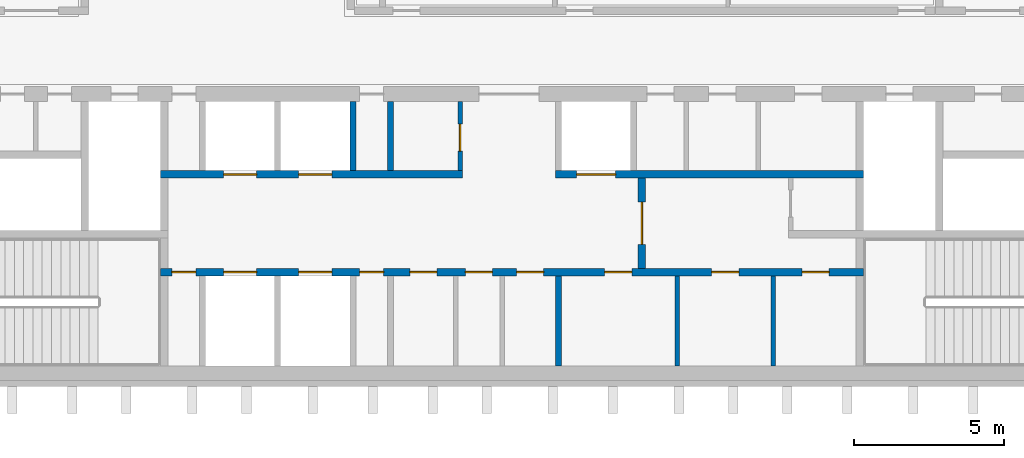
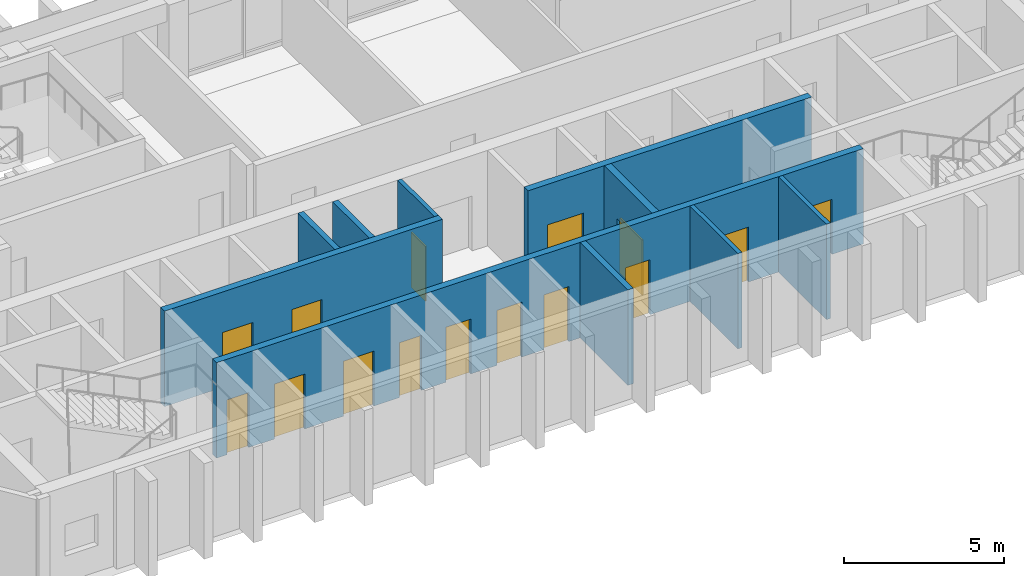
# One storey, part 9 of 14: 15 doors, 10 walls, 15 openings.
"""IFC4 building model written with IfcOpenShell, lengths in metres."""

from ifc_helpers import new_model, si_unit, direction, frame, frame_2d, origin, place, context, subcontext, project, spatial, rectangle, extrude, material, layer, layer_set, type_object, element, fill, save


model = new_model("IFC4")

# Units and contexts
model_context = context("Model", 3, precision=1e-05, world=origin(), true_north=direction((0.0, 1.0)))
body_context = subcontext(model_context, "Body", "Model", "MODEL_VIEW")
ifc_project = project(units=[si_unit("LENGTHUNIT", "METRE"), si_unit("AREAUNIT", "SQUARE_METRE"), si_unit("VOLUMEUNIT", "CUBIC_METRE"), si_unit("PLANEANGLEUNIT", "RADIAN"), si_unit("MASSUNIT", "GRAM", prefix="KILO")], contexts=[model_context])

# Site, building, storey
site_placement = place(None, origin())
site = spatial("IfcSite", under=ifc_project, at=site_placement, CompositionType="ELEMENT")
building_placement = place(site_placement, origin())
building = spatial("IfcBuilding", under=site, at=building_placement, Name="Quipu Civic Tower", CompositionType="ELEMENT")
storey_placement = place(building_placement, frame((0.0, 0.0, 335.0)))
storey = spatial("IfcBuildingStorey", under=building, at=storey_placement, Name="L78", CompositionType="ELEMENT", Elevation=335.0)

# Wall, openings, doors
ifc_material_1 = material(Name="Concrete C70/85", Category="concrete")
ifc_layer_1 = layer(ifc_material_1, 0.25)
ifc_layer_set_1 = layer_set([ifc_layer_1], Name="Concrete C70/85")
wall_type_1 = type_object("IfcWallType", Name="Core wall 250", PredefinedType="SHEAR", material=ifc_layer_set_1)
wall_1_placement = place(storey_placement, frame((11.699951171875, -7.375, 0.0), z_axis=(0.0, 0.0, 1.0), x_axis=(-1.0, 0.0, 0.0)))
wall_1 = element("IfcWall", 1, at=wall_1_placement, inside=storey, type_object=wall_type_1, Name="Core wall", PredefinedType="SHEAR", context=body_context, shape_type="SweptSolid", body=[
    extrude(rectangle(XDim=23.39990234375, YDim=0.25, at=frame_2d((11.699951171875, 0.0))), origin(), (0.0, 0.0, 1.0), 3.64990234375),
])
opening_1_placement = place(wall_1_placement, frame((22.22509765625, 0.0, 0.0)))
opening_1 = element("IfcOpeningElement", 2, at=opening_1_placement, cuts=wall_1, Name="Opening CD-01", PredefinedType="OPENING", context=body_context, shape_type="SweptSolid", body=[
    extrude(rectangle(XDim=0.800048828125, YDim=2.10009765625, at=frame_2d((0.39990234375, 1.050048828125))), frame((0.0, 0.135009765625, 0.0), z_axis=(0.0, -1.0, 0.0), x_axis=(1.0, 0.0, 0.0)), (0.0, 0.0, 1.0), 0.27001953125),
])
opening_2_placement = place(wall_1_placement, frame((20.199951171875, 0.0, 0.0)))
opening_2 = element("IfcOpeningElement", 3, at=opening_2_placement, cuts=wall_1, Name="Opening LD-HL1", PredefinedType="OPENING", context=body_context, shape_type="SweptSolid", body=[
    extrude(rectangle(XDim=1.10009765625, YDim=2.10009765625, at=frame_2d((0.550048828125, 1.050048828125))), frame((0.0, 0.135009765625, 0.0), z_axis=(0.0, -1.0, 0.0), x_axis=(1.0, 0.0, 0.0)), (0.0, 0.0, 1.0), 0.27001953125),
])
opening_3_placement = place(wall_1_placement, frame((17.699951171875, 0.0, 0.0)))
opening_3 = element("IfcOpeningElement", 4, at=opening_3_placement, cuts=wall_1, Name="Opening LD-HL2", PredefinedType="OPENING", context=body_context, shape_type="SweptSolid", body=[
    extrude(rectangle(XDim=1.10009765625, YDim=2.10009765625, at=frame_2d((0.550048828125, 1.050048828125))), frame((0.0, 0.135009765625, 0.0), z_axis=(0.0, -1.0, 0.0), x_axis=(1.0, 0.0, 0.0)), (0.0, 0.0, 1.0), 0.27001953125),
])
opening_4_placement = place(wall_1_placement, frame((15.97509765625, 0.0, 0.0)))
opening_4 = element("IfcOpeningElement", 5, at=opening_4_placement, cuts=wall_1, Name="Opening CD-02", PredefinedType="OPENING", context=body_context, shape_type="SweptSolid", body=[
    extrude(rectangle(XDim=0.800048828125, YDim=2.10009765625, at=frame_2d((0.39990234375, 1.050048828125))), frame((0.0, 0.135009765625, 0.0), z_axis=(0.0, -1.0, 0.0), x_axis=(1.0, 0.0, 0.0)), (0.0, 0.0, 1.0), 0.27001953125),
])
opening_5_placement = place(wall_1_placement, frame((14.199951171875, 0.0, 0.0)))
opening_5 = element("IfcOpeningElement", 6, at=opening_5_placement, cuts=wall_1, Name="Opening CD-03", PredefinedType="OPENING", context=body_context, shape_type="SweptSolid", body=[
    extrude(rectangle(XDim=0.89990234375, YDim=2.10009765625, at=frame_2d((0.449951171875, 1.050048828125))), frame((0.0, 0.135009765625, 0.0), z_axis=(0.0, -1.0, 0.0), x_axis=(1.0, 0.0, 0.0)), (0.0, 0.0, 1.0), 0.27001953125),
])
opening_6_placement = place(wall_1_placement, frame((12.35009765625, 0.0, 0.0)))
opening_6 = element("IfcOpeningElement", 7, at=opening_6_placement, cuts=wall_1, Name="Opening CD-04", PredefinedType="OPENING", context=body_context, shape_type="SweptSolid", body=[
    extrude(rectangle(XDim=0.89990234375, YDim=2.10009765625, at=frame_2d((0.449951171875, 1.050048828125))), frame((0.0, 0.135009765625, 0.0), z_axis=(0.0, -1.0, 0.0), x_axis=(1.0, 0.0, 0.0)), (0.0, 0.0, 1.0), 0.27001953125),
])
opening_7_placement = place(wall_1_placement, frame((10.64990234375, 0.0, 0.0)))
opening_7 = element("IfcOpeningElement", 8, at=opening_7_placement, cuts=wall_1, Name="Opening CD-05", PredefinedType="OPENING", context=body_context, shape_type="SweptSolid", body=[
    extrude(rectangle(XDim=0.89990234375, YDim=2.10009765625, at=frame_2d((0.449951171875, 1.050048828125))), frame((0.0, 0.135009765625, 0.0), z_axis=(0.0, -1.0, 0.0), x_axis=(1.0, 0.0, 0.0)), (0.0, 0.0, 1.0), 0.27001953125),
])
opening_8_placement = place(wall_1_placement, frame((7.712890625, 0.0, 0.0)))
opening_8 = element("IfcOpeningElement", 9, at=opening_8_placement, cuts=wall_1, Name="Opening CD-06", PredefinedType="OPENING", context=body_context, shape_type="SweptSolid", body=[
    extrude(rectangle(XDim=0.89990234375, YDim=2.10009765625, at=frame_2d((0.449951171875, 1.050048828125))), frame((0.0, 0.135009765625, 0.0), z_axis=(0.0, -1.0, 0.0), x_axis=(1.0, 0.0, 0.0)), (0.0, 0.0, 1.0), 0.27001953125),
])
opening_9_placement = place(wall_1_placement, frame((4.14990234375, 0.0, 0.0)))
opening_9 = element("IfcOpeningElement", 10, at=opening_9_placement, cuts=wall_1, Name="Opening CD-07", PredefinedType="OPENING", context=body_context, shape_type="SweptSolid", body=[
    extrude(rectangle(XDim=0.89990234375, YDim=2.10009765625, at=frame_2d((0.449951171875, 1.050048828125))), frame((0.0, 0.135009765625, 0.0), z_axis=(0.0, -1.0, 0.0), x_axis=(1.0, 0.0, 0.0)), (0.0, 0.0, 1.0), 0.27001953125),
])
opening_10_placement = place(wall_1_placement, frame((1.137939453125, 0.0, 0.0)))
opening_10 = element("IfcOpeningElement", 11, at=opening_10_placement, cuts=wall_1, Name="Opening CD-08", PredefinedType="OPENING", context=body_context, shape_type="SweptSolid", body=[
    extrude(rectangle(XDim=0.89990234375, YDim=2.10009765625, at=frame_2d((0.449951171875, 1.050048828125))), frame((0.0, 0.135009765625, 0.0), z_axis=(0.0, -1.0, 0.0), x_axis=(1.0, 0.0, 0.0)), (0.0, 0.0, 1.0), 0.27001953125),
])
ifc_material_2 = material(Name="Fire rated steel door", Category="steel")
door_type_1 = type_object("IfcDoorType", Name="Fire door FD60 800 x 2100", OperationType="NOTDEFINED", PredefinedType="DOOR", material=ifc_material_2)
door_1_placement = place(opening_1_placement, origin())
door_1 = element("IfcDoor", 12, at=door_1_placement, inside=storey, type_object=door_type_1, Name="Door", OperationType="SINGLE_SWING_RIGHT", OverallHeight=2.10009765625, OverallWidth=0.800048828125, PredefinedType="DOOR", context=body_context, shape_type="SweptSolid", body=[
    extrude(rectangle(XDim=0.800048828125, YDim=2.10009765625, at=frame_2d((0.39990234375, 1.050048828125))), frame((0.0, 0.02490234375, 0.0), z_axis=(0.0, -1.0, 0.0), x_axis=(1.0, 0.0, 0.0)), (0.0, 0.0, 1.0), 0.050048828125),
])
fill(opening_1, door_1)
door_2_placement = place(opening_4_placement, origin())
door_2 = element("IfcDoor", 13, at=door_2_placement, inside=storey, type_object=door_type_1, Name="Door", OperationType="SINGLE_SWING_RIGHT", OverallHeight=2.10009765625, OverallWidth=0.800048828125, PredefinedType="DOOR", context=body_context, shape_type="SweptSolid", body=[
    extrude(rectangle(XDim=0.800048828125, YDim=2.10009765625, at=frame_2d((0.39990234375, 1.050048828125))), frame((0.0, 0.02490234375, 0.0), z_axis=(0.0, -1.0, 0.0), x_axis=(1.0, 0.0, 0.0)), (0.0, 0.0, 1.0), 0.050048828125),
])
fill(opening_4, door_2)
ifc_material_3 = material(Name="Fire rated steel door", Category="steel")
door_type_2 = type_object("IfcDoorType", Name="Fire door FD60 900 x 2100", OperationType="NOTDEFINED", PredefinedType="DOOR", material=ifc_material_3)
door_3_placement = place(opening_5_placement, origin())
door_3 = element("IfcDoor", 14, at=door_3_placement, inside=storey, type_object=door_type_2, Name="WC door", OperationType="SINGLE_SWING_RIGHT", OverallHeight=2.10009765625, OverallWidth=0.89990234375, PredefinedType="DOOR", context=body_context, shape_type="SweptSolid", body=[
    extrude(rectangle(XDim=0.89990234375, YDim=2.10009765625, at=frame_2d((0.449951171875, 1.050048828125))), frame((0.0, 0.02490234375, 0.0), z_axis=(0.0, -1.0, 0.0), x_axis=(1.0, 0.0, 0.0)), (0.0, 0.0, 1.0), 0.050048828125),
])
fill(opening_5, door_3)
door_4_placement = place(opening_6_placement, origin())
door_4 = element("IfcDoor", 15, at=door_4_placement, inside=storey, type_object=door_type_2, Name="WC door", OperationType="SINGLE_SWING_RIGHT", OverallHeight=2.10009765625, OverallWidth=0.89990234375, PredefinedType="DOOR", context=body_context, shape_type="SweptSolid", body=[
    extrude(rectangle(XDim=0.89990234375, YDim=2.10009765625, at=frame_2d((0.449951171875, 1.050048828125))), frame((0.0, 0.02490234375, 0.0), z_axis=(0.0, -1.0, 0.0), x_axis=(1.0, 0.0, 0.0)), (0.0, 0.0, 1.0), 0.050048828125),
])
fill(opening_6, door_4)
door_5_placement = place(opening_7_placement, origin())
door_5 = element("IfcDoor", 16, at=door_5_placement, inside=storey, type_object=door_type_2, Name="WC door", OperationType="SINGLE_SWING_LEFT", OverallHeight=2.10009765625, OverallWidth=0.89990234375, PredefinedType="DOOR", context=body_context, shape_type="SweptSolid", body=[
    extrude(rectangle(XDim=0.89990234375, YDim=2.10009765625, at=frame_2d((0.449951171875, 1.050048828125))), frame((0.0, 0.02490234375, 0.0), z_axis=(0.0, -1.0, 0.0), x_axis=(1.0, 0.0, 0.0)), (0.0, 0.0, 1.0), 0.050048828125),
])
fill(opening_7, door_5)
door_6_placement = place(opening_8_placement, origin())
door_6 = element("IfcDoor", 17, at=door_6_placement, inside=storey, type_object=door_type_2, Name="Door", OperationType="SINGLE_SWING_LEFT", OverallHeight=2.10009765625, OverallWidth=0.89990234375, PredefinedType="DOOR", context=body_context, shape_type="SweptSolid", body=[
    extrude(rectangle(XDim=0.89990234375, YDim=2.10009765625, at=frame_2d((0.449951171875, 1.050048828125))), frame((0.0, 0.02490234375, 0.0), z_axis=(0.0, -1.0, 0.0), x_axis=(1.0, 0.0, 0.0)), (0.0, 0.0, 1.0), 0.050048828125),
])
fill(opening_8, door_6)
door_7_placement = place(opening_9_placement, origin())
door_7 = element("IfcDoor", 18, at=door_7_placement, inside=storey, type_object=door_type_2, Name="Door", OperationType="SINGLE_SWING_LEFT", OverallHeight=2.10009765625, OverallWidth=0.89990234375, PredefinedType="DOOR", context=body_context, shape_type="SweptSolid", body=[
    extrude(rectangle(XDim=0.89990234375, YDim=2.10009765625, at=frame_2d((0.449951171875, 1.050048828125))), frame((0.0, 0.02490234375, 0.0), z_axis=(0.0, -1.0, 0.0), x_axis=(1.0, 0.0, 0.0)), (0.0, 0.0, 1.0), 0.050048828125),
])
fill(opening_9, door_7)
door_8_placement = place(opening_10_placement, origin())
door_8 = element("IfcDoor", 19, at=door_8_placement, inside=storey, type_object=door_type_2, Name="Door", OperationType="SINGLE_SWING_LEFT", OverallHeight=2.10009765625, OverallWidth=0.89990234375, PredefinedType="DOOR", context=body_context, shape_type="SweptSolid", body=[
    extrude(rectangle(XDim=0.89990234375, YDim=2.10009765625, at=frame_2d((0.449951171875, 1.050048828125))), frame((0.0, 0.02490234375, 0.0), z_axis=(0.0, -1.0, 0.0), x_axis=(1.0, 0.0, 0.0)), (0.0, 0.0, 1.0), 0.050048828125),
])
fill(opening_10, door_8)
ifc_material_4 = material(Name="Stainless steel", Category="steel")
door_type_3 = type_object("IfcDoorType", Name="Lift landing door 1100 x 2100", OperationType="DOUBLE_DOOR_SLIDING", PredefinedType="DOOR", material=ifc_material_4)
door_9_placement = place(opening_2_placement, origin())
door_9 = element("IfcDoor", 20, at=door_9_placement, inside=storey, type_object=door_type_3, Name="Landing door HL1", OperationType="DOUBLE_DOOR_SLIDING", OverallHeight=2.10009765625, OverallWidth=1.10009765625, PredefinedType="DOOR", context=body_context, shape_type="SweptSolid", body=[
    extrude(rectangle(XDim=1.10009765625, YDim=2.10009765625, at=frame_2d((0.550048828125, 1.050048828125))), frame((0.0, 0.02490234375, 0.0), z_axis=(0.0, -1.0, 0.0), x_axis=(1.0, 0.0, 0.0)), (0.0, 0.0, 1.0), 0.050048828125),
])
fill(opening_2, door_9)
door_10_placement = place(opening_3_placement, origin())
door_10 = element("IfcDoor", 21, at=door_10_placement, inside=storey, type_object=door_type_3, Name="Landing door HL2", OperationType="DOUBLE_DOOR_SLIDING", OverallHeight=2.10009765625, OverallWidth=1.10009765625, PredefinedType="DOOR", context=body_context, shape_type="SweptSolid", body=[
    extrude(rectangle(XDim=1.10009765625, YDim=2.10009765625, at=frame_2d((0.550048828125, 1.050048828125))), frame((0.0, 0.02490234375, 0.0), z_axis=(0.0, -1.0, 0.0), x_axis=(1.0, 0.0, 0.0)), (0.0, 0.0, 1.0), 0.050048828125),
])
fill(opening_3, door_10)

# Wall, opening, door
wall_2_placement = place(storey_placement, frame((4.324951171875, -7.25, 0.0), z_axis=(0.0, 0.0, 1.0), x_axis=(0.0, 1.0, 0.0)))
wall_2 = element("IfcWall", 22, at=wall_2_placement, inside=storey, type_object=wall_type_1, Name="Core wall", PredefinedType="SHEAR", context=body_context, shape_type="SweptSolid", body=[
    extrude(rectangle(XDim=3.0, YDim=0.25, at=frame_2d((1.5, 0.0))), origin(), (0.0, 0.0, 1.0), 3.64990234375),
])
opening_11_placement = place(wall_2_placement, frame((0.800048828125, 0.0, 0.0)))
opening_11 = element("IfcOpeningElement", 23, at=opening_11_placement, cuts=wall_2, Name="Opening CD-11", PredefinedType="OPENING", context=body_context, shape_type="SweptSolid", body=[
    extrude(rectangle(XDim=1.39990234375, YDim=2.10009765625, at=frame_2d((0.699951171875, 1.050048828125))), frame((0.0, 0.135009765625, 0.0), z_axis=(0.0, -1.0, 0.0), x_axis=(1.0, 0.0, 0.0)), (0.0, 0.0, 1.0), 0.27001953125),
])
ifc_material_5 = material(Name="Fire rated steel door", Category="steel")
door_type_4 = type_object("IfcDoorType", Name="Fire door FD60 double 1400 x 2100", OperationType="NOTDEFINED", PredefinedType="DOOR", material=ifc_material_5)
door_11_placement = place(opening_11_placement, origin())
door_11 = element("IfcDoor", 24, at=door_11_placement, inside=storey, type_object=door_type_4, Name="Hall door", OperationType="DOUBLE_DOOR_SINGLE_SWING", OverallHeight=2.10009765625, OverallWidth=1.39990234375, PredefinedType="DOOR", context=body_context, shape_type="SweptSolid", body=[
    extrude(rectangle(XDim=1.39990234375, YDim=2.10009765625, at=frame_2d((0.699951171875, 1.050048828125))), frame((0.0, 0.02490234375, 0.0), z_axis=(0.0, -1.0, 0.0), x_axis=(1.0, 0.0, 0.0)), (0.0, 0.0, 1.0), 0.050048828125),
])
fill(opening_11, door_11)

# Wall, openings, doors
wall_3_placement = place(storey_placement, frame((-11.699951171875, -4.125, 0.0), z_axis=(0.0, 0.0, 1.0), x_axis=(1.0, 0.0, 0.0)))
wall_3 = element("IfcWall", 25, at=wall_3_placement, inside=storey, type_object=wall_type_1, Name="Core wall", PredefinedType="SHEAR", context=body_context, shape_type="SweptSolid", body=[
    extrude(rectangle(XDim=10.050048828125, YDim=0.25, at=frame_2d((5.02490234375, 0.0))), origin(), (0.0, 0.0, 1.0), 3.64990234375),
])
opening_12_placement = place(wall_3_placement, frame((2.10009765625, 0.0, 0.0)))
opening_12 = element("IfcOpeningElement", 26, at=opening_12_placement, cuts=wall_3, Name="Opening LD-HL3", PredefinedType="OPENING", context=body_context, shape_type="SweptSolid", body=[
    extrude(rectangle(XDim=1.10009765625, YDim=2.10009765625, at=frame_2d((0.550048828125, 1.050048828125))), frame((0.0, 0.135009765625, 0.0), z_axis=(0.0, -1.0, 0.0), x_axis=(1.0, 0.0, 0.0)), (0.0, 0.0, 1.0), 0.27001953125),
])
opening_13_placement = place(wall_3_placement, frame((4.60009765625, 0.0, 0.0)))
opening_13 = element("IfcOpeningElement", 27, at=opening_13_placement, cuts=wall_3, Name="Opening LD-HL4", PredefinedType="OPENING", context=body_context, shape_type="SweptSolid", body=[
    extrude(rectangle(XDim=1.10009765625, YDim=2.10009765625, at=frame_2d((0.550048828125, 1.050048828125))), frame((0.0, 0.135009765625, 0.0), z_axis=(0.0, -1.0, 0.0), x_axis=(1.0, 0.0, 0.0)), (0.0, 0.0, 1.0), 0.27001953125),
])
door_12_placement = place(opening_12_placement, origin())
door_12 = element("IfcDoor", 28, at=door_12_placement, inside=storey, type_object=door_type_3, Name="Landing door HL3", OperationType="DOUBLE_DOOR_SLIDING", OverallHeight=2.10009765625, OverallWidth=1.10009765625, PredefinedType="DOOR", context=body_context, shape_type="SweptSolid", body=[
    extrude(rectangle(XDim=1.10009765625, YDim=2.10009765625, at=frame_2d((0.550048828125, 1.050048828125))), frame((0.0, 0.02490234375, 0.0), z_axis=(0.0, -1.0, 0.0), x_axis=(1.0, 0.0, 0.0)), (0.0, 0.0, 1.0), 0.050048828125),
])
fill(opening_12, door_12)
door_13_placement = place(opening_13_placement, origin())
door_13 = element("IfcDoor", 29, at=door_13_placement, inside=storey, type_object=door_type_3, Name="Landing door HL4", OperationType="DOUBLE_DOOR_SLIDING", OverallHeight=2.10009765625, OverallWidth=1.10009765625, PredefinedType="DOOR", context=body_context, shape_type="SweptSolid", body=[
    extrude(rectangle(XDim=1.10009765625, YDim=2.10009765625, at=frame_2d((0.550048828125, 1.050048828125))), frame((0.0, 0.02490234375, 0.0), z_axis=(0.0, -1.0, 0.0), x_axis=(1.0, 0.0, 0.0)), (0.0, 0.0, 1.0), 0.050048828125),
])
fill(opening_13, door_13)

# Wall, opening, door
wall_4_placement = place(storey_placement, frame((1.449951171875, -4.125, 0.0), z_axis=(0.0, 0.0, 1.0), x_axis=(1.0, 0.0, 0.0)))
wall_4 = element("IfcWall", 30, at=wall_4_placement, inside=storey, type_object=wall_type_1, Name="Core wall", PredefinedType="SHEAR", context=body_context, shape_type="SweptSolid", body=[
    extrude(rectangle(XDim=10.25, YDim=0.25, at=frame_2d((5.125, 0.0))), origin(), (0.0, 0.0, 1.0), 3.64990234375),
])
opening_14_placement = place(wall_4_placement, frame((0.699951171875, 0.0, 0.0)))
opening_14 = element("IfcOpeningElement", 31, at=opening_14_placement, cuts=wall_4, Name="Opening LD-FF3", PredefinedType="OPENING", context=body_context, shape_type="SweptSolid", body=[
    extrude(rectangle(XDim=1.300048828125, YDim=2.10009765625, at=frame_2d((0.64990234375, 1.050048828125))), frame((0.0, 0.135009765625, 0.0), z_axis=(0.0, -1.0, 0.0), x_axis=(1.0, 0.0, 0.0)), (0.0, 0.0, 1.0), 0.27001953125),
])
ifc_material_6 = material(Name="Stainless steel", Category="steel")
door_type_5 = type_object("IfcDoorType", Name="Lift landing door 1300 x 2100", OperationType="DOUBLE_DOOR_SLIDING", PredefinedType="DOOR", material=ifc_material_6)
door_14_placement = place(opening_14_placement, origin())
door_14 = element("IfcDoor", 32, at=door_14_placement, inside=storey, type_object=door_type_5, Name="Landing door FF3", OperationType="DOUBLE_DOOR_SLIDING", OverallHeight=2.10009765625, OverallWidth=1.300048828125, PredefinedType="DOOR", context=body_context, shape_type="SweptSolid", body=[
    extrude(rectangle(XDim=1.300048828125, YDim=2.10009765625, at=frame_2d((0.64990234375, 1.050048828125))), frame((0.0, 0.02490234375, 0.0), z_axis=(0.0, -1.0, 0.0), x_axis=(1.0, 0.0, 0.0)), (0.0, 0.0, 1.0), 0.050048828125),
])
fill(opening_14, door_14)

# Walls
ifc_material_7 = material(Name="Gypsum board partition")
ifc_layer_2 = layer(ifc_material_7, 0.14990234375)
ifc_layer_set_2 = layer_set([ifc_layer_2], Name="Gypsum board partition")
wall_type_2 = type_object("IfcWallType", Name="Partition 150", PredefinedType="PARTITIONING", material=ifc_layer_set_2)
for number, where, z_axis, x_axis, name in (
    (33, (5.5, -10.5, 0.0), (0.0, 0.0, 1.0), (0.0, 1.0, 0.0), "Partition"),
    (34, (8.699951171875, -10.5, 0.0), (0.0, 0.0, 1.0), (0.0, 1.0, 0.0), "Partition"),
):
    element("IfcWall", number, at=place(storey_placement, frame(where, z_axis=z_axis, x_axis=x_axis)), inside=storey, type_object=wall_type_2, Name=name, PredefinedType="PARTITIONING", context=body_context, shape_type="SweptSolid", body=[
        extrude(rectangle(XDim=3.0, YDim=0.14990234375, at=frame_2d((1.5, 0.0))), origin(), (0.0, 0.0, 1.0), 3.64990234375),
    ])

# Wall, opening, door
wall_5_placement = place(storey_placement, frame((-1.72509765625, -1.699951171875, 0.0), z_axis=(0.0, 0.0, 1.0), x_axis=(0.0, -1.0, 0.0)))
wall_5 = element("IfcWall", 35, at=wall_5_placement, inside=storey, type_object=wall_type_2, Name="Partition", PredefinedType="PARTITIONING", context=body_context, shape_type="SweptSolid", body=[
    extrude(rectangle(XDim=2.300048828125, YDim=0.14990234375, at=frame_2d((1.14990234375, 0.0))), origin(), (0.0, 0.0, 1.0), 3.64990234375),
])
opening_15_placement = place(wall_5_placement, frame((0.75, 0.0, 0.0)))
opening_15 = element("IfcOpeningElement", 36, at=opening_15_placement, cuts=wall_5, Name="Opening CD-13", PredefinedType="OPENING", context=body_context, shape_type="SweptSolid", body=[
    extrude(rectangle(XDim=0.89990234375, YDim=2.10009765625, at=frame_2d((0.449951171875, 1.050048828125))), frame((0.0, 0.0849609375, 0.0), z_axis=(0.0, -1.0, 0.0), x_axis=(1.0, 0.0, 0.0)), (0.0, 0.0, 1.0), 0.169921875),
])
door_15_placement = place(opening_15_placement, origin())
door_15 = element("IfcDoor", 37, at=door_15_placement, inside=storey, type_object=door_type_2, Name="WC door", OperationType="SINGLE_SWING_RIGHT", OverallHeight=2.10009765625, OverallWidth=0.89990234375, PredefinedType="DOOR", context=body_context, shape_type="SweptSolid", body=[
    extrude(rectangle(XDim=0.89990234375, YDim=2.10009765625, at=frame_2d((0.449951171875, 1.050048828125))), frame((0.0, 0.02490234375, 0.0), z_axis=(0.0, -1.0, 0.0), x_axis=(1.0, 0.0, 0.0)), (0.0, 0.0, 1.0), 0.050048828125),
])
fill(opening_15, door_15)

# Walls
ifc_material_8 = material(Name="Concrete C40/50", Category="concrete")
ifc_layer_3 = layer(ifc_material_8, 0.199951171875)
ifc_layer_set_3 = layer_set([ifc_layer_3], Name="Concrete C40/50")
wall_type_3 = type_object("IfcWallType", Name="Shaft wall 200", PredefinedType="SOLIDWALL", material=ifc_layer_set_3)
wall_6_placement = place(storey_placement, frame((1.550048828125, -10.5, 0.0), z_axis=(0.0, 0.0, 1.0), x_axis=(0.0, 1.0, 0.0)))
element("IfcWall", 38, at=wall_6_placement, inside=storey, type_object=wall_type_3, Name="Shaft wall", PredefinedType="SOLIDWALL", context=body_context, shape_type="SweptSolid", body=[
    extrude(rectangle(XDim=3.0, YDim=0.199951171875, at=frame_2d((1.5, 0.0))), origin(), (0.0, 0.0, 1.0), 3.64990234375),
])
for number, where, z_axis, x_axis, name in (
    (39, (-5.300048828125, -4.0, 0.0), (0.0, 0.0, 1.0), (0.0, 1.0, 0.0), "Shaft wall"),
    (40, (-4.050048828125, -4.0, 0.0), (0.0, 0.0, 1.0), (0.0, 1.0, 0.0), "Shaft wall"),
):
    element("IfcWall", number, at=place(storey_placement, frame(where, z_axis=z_axis, x_axis=x_axis)), inside=storey, type_object=wall_type_3, Name=name, PredefinedType="SOLIDWALL", context=body_context, shape_type="SweptSolid", body=[
        extrude(rectangle(XDim=2.300048828125, YDim=0.199951171875, at=frame_2d((1.14990234375, 0.0))), origin(), (0.0, 0.0, 1.0), 3.64990234375),
    ])

save(model, "model.ifc")
